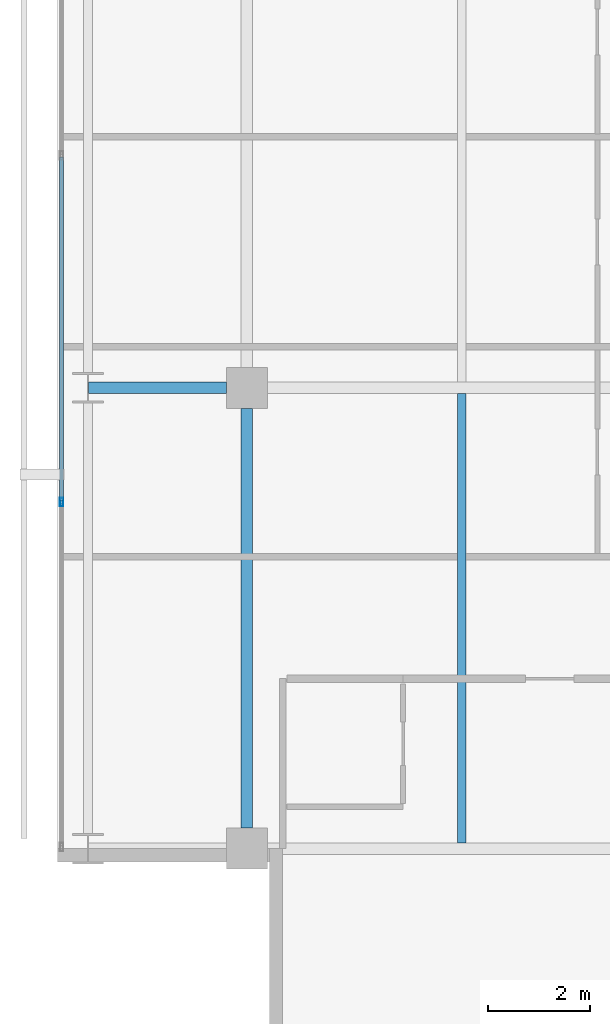
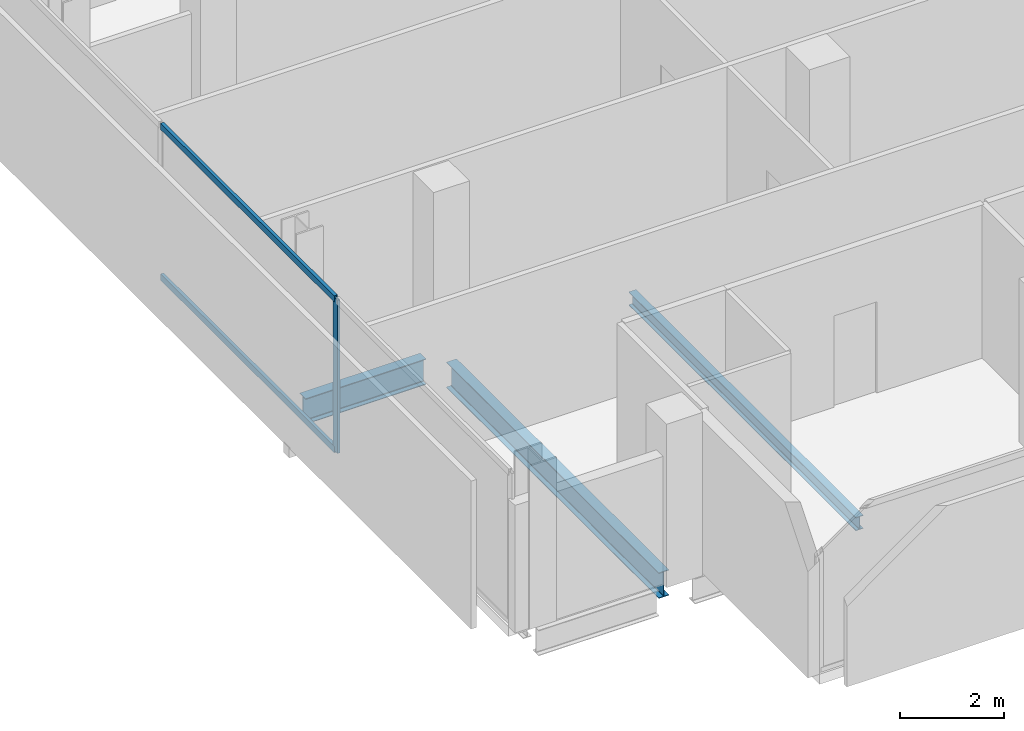
# One storey, part 4 of 34: 3 beams, 3 members, 1 element without a shape of its own.
"""IFC4 building model written with IfcOpenShell, lengths in metres."""

from ifc_helpers import new_model, si_unit, direction, frame, origin, origin_2d, place, context, subcontext, project, spatial, hollow_rectangle, i_section, extrude, material, layer, layer_set, material_profile, profile_set, type_object, element, aggregate, save


model = new_model("IFC4")

# Units and contexts
model_context = context("Model", 3, precision=1e-05, world=origin(), true_north=direction((0.0, 1.0)))
body_context = subcontext(model_context, "Body", "Model", "MODEL_VIEW")
ifc_project = project(units=[si_unit("LENGTHUNIT", "METRE"), si_unit("AREAUNIT", "SQUARE_METRE"), si_unit("VOLUMEUNIT", "CUBIC_METRE"), si_unit("PLANEANGLEUNIT", "RADIAN"), si_unit("MASSUNIT", "GRAM", prefix="KILO")], contexts=[model_context])

# Site, building, storey
site_placement = place(None, origin())
site = spatial("IfcSite", under=ifc_project, at=site_placement, CompositionType="ELEMENT")
building_placement = place(site_placement, origin())
building = spatial("IfcBuilding", under=site, at=building_placement, Name="Maruvema Waterfront Hotel and Observation Tower", CompositionType="ELEMENT")
storey_placement = place(building_placement, frame((0.0, 0.0, 177.449951171875)))
storey = spatial("IfcBuildingStorey", under=building, at=storey_placement, Name="L43", CompositionType="ELEMENT", Elevation=177.449951171875)

# Curtain wall, members
ifc_material_1 = material(Name="Anodised bronze aluminium and solar-control low-E IGU", Category="aluminium")
ifc_layer = layer(ifc_material_1, 0.159912109375, Name="Zone 2 Amber Inner Thermal Curtain Wall System CW-03")
ifc_layer_set = layer_set([ifc_layer], Name="Anodised bronze aluminium and solar-control low-E IGU")
curtain_wall_type = type_object("IfcCurtainWallType", Name="Zone 2 Amber Inner Thermal Curtain Wall System CW-03", PredefinedType="USERDEFINED", material=ifc_layer_set)
curtain_wall_placement = place(storey_placement, origin())
curtain_wall = element("IfcCurtainWall", 1, at=curtain_wall_placement, inside=storey, type_object=curtain_wall_type, Name="L43 Curtain Wall CW-L43-W", ObjectType="UNITISED CURTAIN WALL", PredefinedType="USERDEFINED")
ifc_material_2 = material(Name="Anodised architectural bronze aluminium", Category="aluminium")
ifc_material_profile_1 = material_profile(ifc_material_2, hollow_rectangle(XDim=0.070068359375, YDim=0.14990234375, WallThickness=0.00390625, at=origin_2d()), Name="ALU-T70x150")
ifc_profile_set_1 = profile_set([ifc_material_profile_1], Name="Anodised architectural bronze aluminium")
member_type_1 = type_object("IfcMemberType", Name="Curtain Wall Horizontal Transom ALU-T70x150", PredefinedType="USERDEFINED", material=ifc_profile_set_1)
member_1_placement = place(storey_placement, frame((13.179931640625, 22.50341796875, 0.030029296875), z_axis=(0.0, -1.0, 0.0), x_axis=(1.0, 0.0, 0.0)))
member_1 = element("IfcMember", 2, at=member_1_placement, type_object=member_type_1, Name="CW-03 transom 5.1", ObjectType="TRANSOM", PredefinedType="USERDEFINED", context=body_context, shape_type="SweptSolid", body=[
    extrude(hollow_rectangle(XDim=0.070068359375, YDim=0.14990234375, WallThickness=0.00390625, at=origin_2d()), origin(), (0.0, 0.0, 1.0), 6.706787109375),
])
member_2_placement = place(storey_placement, frame((13.179931640625, 22.50341796875, 3.580078125), z_axis=(0.0, -1.0, 0.0), x_axis=(1.0, 0.0, 0.0)))
member_2 = element("IfcMember", 3, at=member_2_placement, type_object=member_type_1, Name="CW-03 transom 5.2", ObjectType="TRANSOM", PredefinedType="USERDEFINED", context=body_context, shape_type="SweptSolid", body=[
    extrude(hollow_rectangle(XDim=0.070068359375, YDim=0.14990234375, WallThickness=0.00390625, at=origin_2d()), origin(), (0.0, 0.0, 1.0), 6.706787109375),
])
ifc_material_3 = material(Name="Anodised architectural bronze aluminium", Category="aluminium")
ifc_material_profile_2 = material_profile(ifc_material_3, hollow_rectangle(XDim=0.06494140625, YDim=0.1650390625, WallThickness=0.00390625, at=origin_2d()), Name="ALU-M65x165")
ifc_profile_set_2 = profile_set([ifc_material_profile_2], Name="Anodised architectural bronze aluminium")
member_type_2 = type_object("IfcMemberType", Name="Curtain Wall Primary Mullion ALU-M65x165", PredefinedType="MULLION", material=ifc_profile_set_2)
member_3_placement = place(storey_placement, frame((13.179931640625, 15.7666015625, 0.0), z_axis=(0.0, 0.0, 1.0), x_axis=(1.0, 0.0, 0.0)))
member_3 = element("IfcMember", 4, at=member_3_placement, type_object=member_type_2, Name="CW-03 mullion 6", PredefinedType="MULLION", context=body_context, shape_type="SweptSolid", body=[
    extrude(hollow_rectangle(XDim=0.06494140625, YDim=0.1650390625, WallThickness=0.00390625, at=origin_2d()), origin(), (0.0, 0.0, 1.0), 3.610107421875),
])
aggregate(curtain_wall, [member_3, member_1, member_2])

# Beams
ifc_material_4 = material(Name="Steel ASTM A572 Grade 50", Category="steel")
ifc_material_profile_3 = material_profile(ifc_material_4, i_section(OverallWidth=0.22802734375, OverallDepth=0.60302734375, WebThickness=0.010498046875, FlangeThickness=0.014892578125, FilletRadius=0.01806640625, at=origin_2d()), Name="W610x101.0")
ifc_profile_set_3 = profile_set([ifc_material_profile_3], Name="Steel ASTM A572 Grade 50")
beam_type_1 = type_object("IfcBeamType", Name="Primary Floor Girder W610x101.0", PredefinedType="BEAM", material=ifc_profile_set_3)
beam_1_placement = place(storey_placement, frame((13.71240234375, 18.0, -0.54150390625), z_axis=(1.0, 0.0, 0.0), x_axis=(0.0, 1.0, 0.0)))
element("IfcBeam", 5, at=beam_1_placement, inside=storey, type_object=beam_type_1, Name="L43 Floor Girder EW-11", PredefinedType="BEAM", context=body_context, shape_type="SweptSolid", body=[
    extrude(i_section(OverallWidth=0.22802734375, OverallDepth=0.60302734375, WebThickness=0.010498046875, FlangeThickness=0.014892578125, FilletRadius=0.01806640625, at=origin_2d()), origin(), (0.0, 0.0, 1.0), 2.6875),
])
beam_2_placement = place(storey_placement, frame((16.800048828125, 9.39990234375, -0.54150390625), z_axis=(0.0, 1.0, 0.0), x_axis=(-1.0, 0.0, 0.0)))
element("IfcBeam", 6, at=beam_2_placement, inside=storey, type_object=beam_type_1, Name="L43 Floor Girder NS-05", PredefinedType="BEAM", context=body_context, shape_type="SweptSolid", body=[
    extrude(i_section(OverallWidth=0.22802734375, OverallDepth=0.60302734375, WebThickness=0.010498046875, FlangeThickness=0.014892578125, FilletRadius=0.01806640625, at=origin_2d()), origin(), (0.0, 0.0, 1.0), 8.2001953125),
])
ifc_material_5 = material(Name="Steel ASTM A572 Grade 50", Category="steel")
ifc_material_profile_4 = material_profile(ifc_material_5, i_section(OverallWidth=0.1669921875, OverallDepth=0.31689453125, WebThickness=0.007568359375, FlangeThickness=0.01318359375, FilletRadius=0.012939453125, at=origin_2d()), Name="W310x52.0")
ifc_profile_set_4 = profile_set([ifc_material_profile_4], Name="Steel ASTM A572 Grade 50")
beam_type_2 = type_object("IfcBeamType", Name="Secondary Floor Joist W310x52.0", PredefinedType="JOIST", material=ifc_profile_set_4)
beam_3_placement = place(storey_placement, frame((21.0, 9.114013671875, -0.3984375), z_axis=(0.0, 1.0, 0.0), x_axis=(-1.0, 0.0, 0.0)))
element("IfcBeam", 7, at=beam_3_placement, inside=storey, type_object=beam_type_2, Name="L43 Secondary Floor Joist JS-01", PredefinedType="JOIST", context=body_context, shape_type="SweptSolid", body=[
    extrude(i_section(OverallWidth=0.1669921875, OverallDepth=0.31689453125, WebThickness=0.007568359375, FlangeThickness=0.01318359375, FilletRadius=0.012939453125, at=origin_2d()), origin(), (0.0, 0.0, 1.0), 8.77197265625),
])

save(model, "model.ifc")
